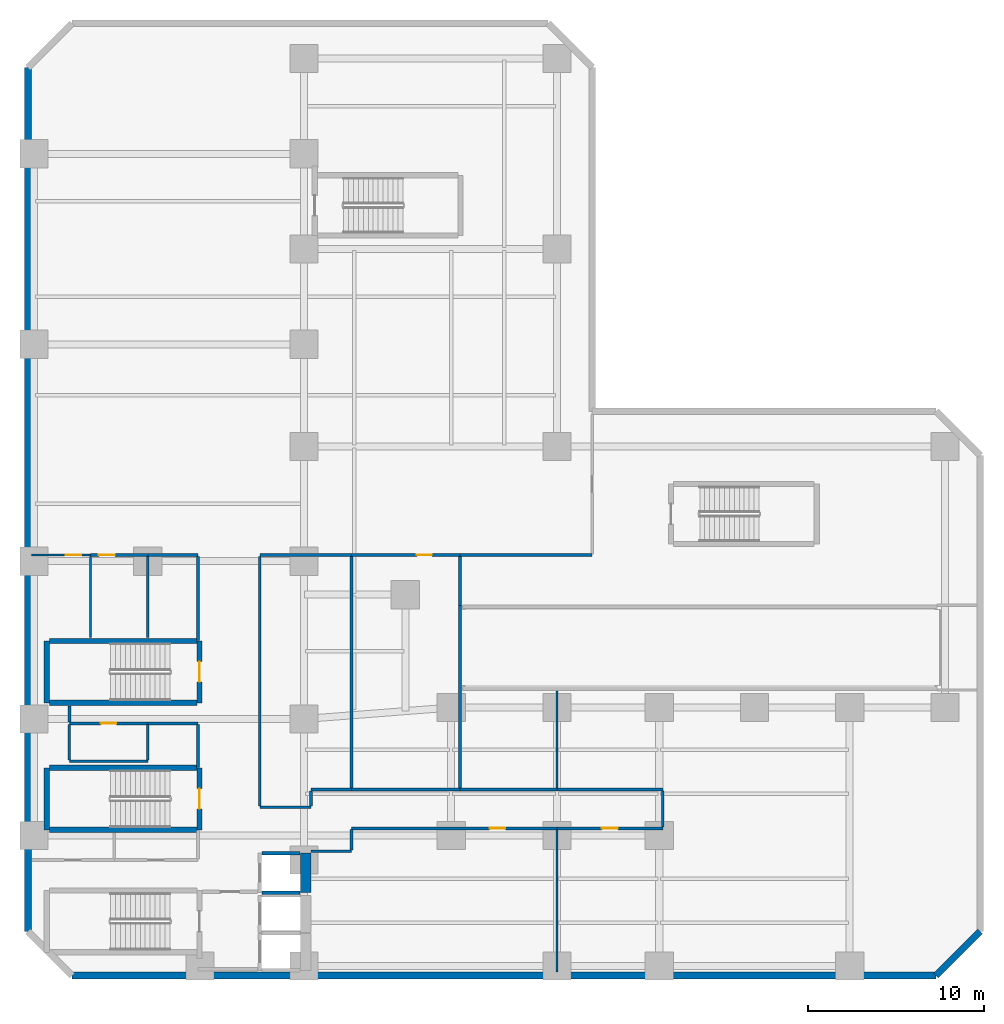
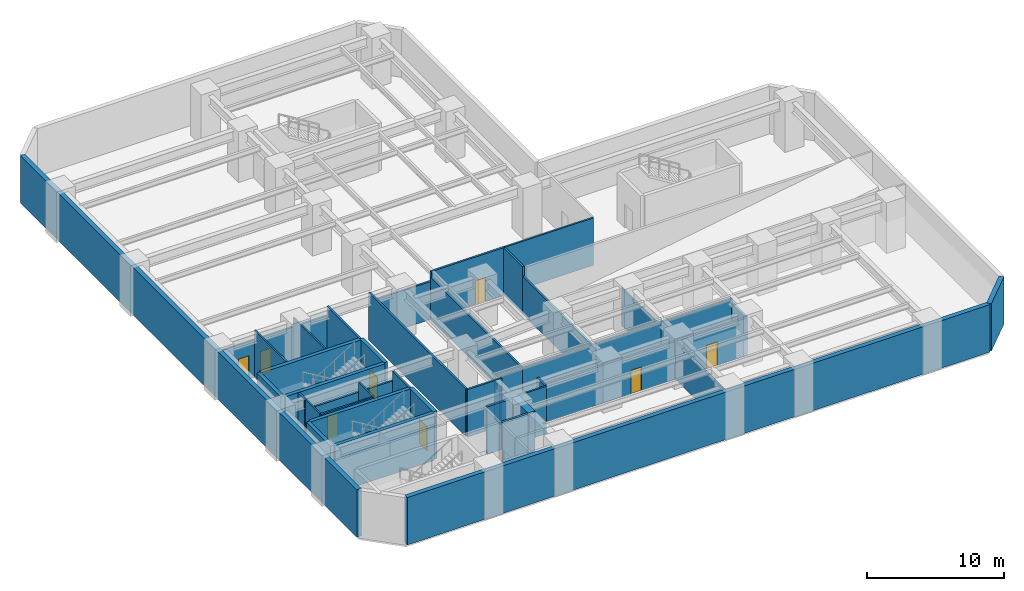
# One storey, part 3 of 7: 47 walls, 8 doors, 8 openings.
"""IFC4 building model written with IfcOpenShell, lengths in metres."""

from ifc_helpers import new_model, si_unit, direction, frame, frame_2d, origin, place, context, subcontext, project, spatial, rectangle, extrude, material, layer, layer_set, type_object, element, fill, save


model = new_model("IFC4")

# Units and contexts
model_context = context("Model", 3, precision=1e-05, world=origin(), true_north=direction((0.0, 1.0)))
body_context = subcontext(model_context, "Body", "Model", "MODEL_VIEW")
ifc_project = project(units=[si_unit("LENGTHUNIT", "METRE"), si_unit("AREAUNIT", "SQUARE_METRE"), si_unit("VOLUMEUNIT", "CUBIC_METRE"), si_unit("PLANEANGLEUNIT", "RADIAN"), si_unit("MASSUNIT", "GRAM", prefix="KILO")], contexts=[model_context])

# Site, building, storey
site_placement = place(None, origin())
site = spatial("IfcSite", under=ifc_project, at=site_placement, CompositionType="ELEMENT")
building_placement = place(site_placement, origin())
building = spatial("IfcBuilding", under=site, at=building_placement, Name="Mawjaban Terraces University", CompositionType="ELEMENT")
storey_placement = place(building_placement, frame((0.0, 0.0, -4.5)))
storey = spatial("IfcBuildingStorey", under=building, at=storey_placement, Name="B1", CompositionType="ELEMENT", Elevation=-4.5)

# Walls
ifc_material_1 = material(Name="Concrete C50/60", Category="concrete")
ifc_layer_1 = layer(ifc_material_1, 0.3798828125)
ifc_layer_set_1 = layer_set([ifc_layer_1], Name="Concrete C50/60")
wall_type_1 = type_object("IfcWallType", Name="BsmtRetainingWall_380", PredefinedType="USERDEFINED", material=ifc_layer_set_1)
wall_1_placement = place(storey_placement, frame((24.5, 0.0, 0.0), z_axis=(0.0, 0.0, 1.0), x_axis=(1.0, 0.0, 0.0)))
element("IfcWall", 1, at=wall_1_placement, inside=storey, type_object=wall_type_1, Name="B1 Perimeter Retaining Wall 1", ObjectType="RETAININGWALL", PredefinedType="USERDEFINED", context=body_context, shape_type="SweptSolid", body=[
    extrude(rectangle(XDim=49.0, YDim=0.3798828125, at=frame_2d((24.5, 0.0))), origin(), (0.0, 0.0, 1.0), 4.219970703125),
])
wall_2_placement = place(storey_placement, frame((73.5, 0.0, 0.0), z_axis=(0.0, 0.0, 1.0), x_axis=(0.707106781187, 0.707106781187, 0.0)))
element("IfcWall", 2, at=wall_2_placement, inside=storey, type_object=wall_type_1, Name="B1 Perimeter Retaining Wall 2", ObjectType="RETAININGWALL", PredefinedType="USERDEFINED", context=body_context, shape_type="SweptSolid", body=[
    extrude(rectangle(XDim=3.53564453125, YDim=0.3798828125, at=frame_2d((1.767822265625, 0.0))), origin(), (0.0, 0.0, 1.0), 4.219970703125),
])
wall_3_placement = place(storey_placement, frame((22.0, 51.5, 0.0), z_axis=(0.0, 0.0, 1.0), x_axis=(0.0, -1.0, 0.0)))
element("IfcWall", 3, at=wall_3_placement, inside=storey, type_object=wall_type_1, Name="B1 Perimeter Retaining Wall 10", ObjectType="RETAININGWALL", PredefinedType="USERDEFINED", context=body_context, shape_type="SweptSolid", body=[
    extrude(rectangle(XDim=49.0, YDim=0.3798828125, at=frame_2d((24.5, 0.0))), origin(), (0.0, 0.0, 1.0), 4.219970703125),
])
ifc_material_2 = material(Name="Concrete C70/85", Category="concrete")
ifc_layer_2 = layer(ifc_material_2, 0.60009765625)
ifc_layer_set_2 = layer_set([ifc_layer_2], Name="Concrete C70/85")
wall_type_2 = type_object("IfcWallType", Name="CoreShearWall_600", PredefinedType="SHEAR", material=ifc_layer_set_2)
wall_4_placement = place(storey_placement, frame((37.75, 4.699951171875, 0.0), z_axis=(0.0, 0.0, 1.0), x_axis=(0.0, 1.0, 0.0)))
element("IfcWall", 4, at=wall_4_placement, inside=storey, type_object=wall_type_2, Name="B1 Lift SL-1 Hoistway Wall East", PredefinedType="SHEAR", context=body_context, shape_type="SweptSolid", body=[
    extrude(rectangle(XDim=2.25, YDim=0.60009765625, at=frame_2d((1.125, 0.0))), origin(), (0.0, 0.0, 1.0), 4.219970703125),
])

# Wall, opening, door
ifc_material_3 = material(Name="Fire-rated gypsum board on steel stud", Category="steel")
ifc_layer_3 = layer(ifc_material_3, 0.159912109375)
ifc_layer_set_3 = layer_set([ifc_layer_3], Name="Fire-rated gypsum board on steel stud")
wall_type_3 = type_object("IfcWallType", Name="CorridorPartition_160", PredefinedType="PARTITIONING", material=ifc_layer_set_3)
wall_5_placement = place(storey_placement, frame((24.35009765625, 14.300048828125, 0.0), z_axis=(0.0, 0.0, 1.0), x_axis=(1.0, 0.0, 0.0)))
wall_5 = element("IfcWall", 5, at=wall_5_placement, inside=storey, type_object=wall_type_3, Name="B1 Core Riser Access Passage Partition 2", PredefinedType="PARTITIONING", context=body_context, shape_type="SweptSolid", body=[
    extrude(rectangle(XDim=4.449951171875, YDim=0.159912109375, at=frame_2d((2.22509765625, 0.0))), origin(), (0.0, 0.0, 1.0), 3.364990234375),
])
opening_1_placement = place(wall_5_placement, frame((1.784912109375, 0.0, 0.0)))
opening_1 = element("IfcOpeningElement", 6, at=opening_1_placement, cuts=wall_5, Name="Opening ID-088", PredefinedType="OPENING", context=body_context, shape_type="SweptSolid", body=[
    extrude(rectangle(XDim=0.8798828125, YDim=2.10009765625, at=frame_2d((0.43994140625, 1.050048828125))), frame((0.0, 0.08984375, 0.0), z_axis=(0.0, -1.0, 0.0), x_axis=(1.0, 0.0, 0.0)), (0.0, 0.0, 1.0), 0.179931640625),
])
ifc_material_4 = material(Name="Powder-coated steel frame and solid acoustic timber leaf", Category="steel")
door_type_1 = type_object("IfcDoorType", Name="ToiletDoor_880x2100", OperationType="NOTDEFINED", PredefinedType="DOOR", material=ifc_material_4)
door_1_placement = place(opening_1_placement, origin())
door_1 = element("IfcDoor", 7, at=door_1_placement, inside=storey, type_object=door_type_1, Name="B1 Ablution Room Door", OperationType="SINGLE_SWING_RIGHT", OverallHeight=2.10009765625, OverallWidth=0.8798828125, PredefinedType="DOOR", context=body_context, shape_type="SweptSolid", body=[
    extrude(rectangle(XDim=0.8798828125, YDim=2.10009765625, at=frame_2d((0.43994140625, 1.050048828125))), frame((0.0, 0.02490234375, 0.0), z_axis=(0.0, -1.0, 0.0), x_axis=(1.0, 0.0, 0.0)), (0.0, 0.0, 1.0), 0.050048828125),
])
fill(opening_1, door_1)

# Wall
wall_6_placement = place(storey_placement, frame((28.800048828125, 14.300048828125, 0.0), z_axis=(0.0, 0.0, 1.0), x_axis=(1.0, 0.0, 0.0)))
element("IfcWall", 8, at=wall_6_placement, inside=storey, type_object=wall_type_3, Name="B1 Core Riser Access Passage Partition 5", PredefinedType="PARTITIONING", context=body_context, shape_type="SweptSolid", body=[
    extrude(rectangle(XDim=2.849853515625, YDim=0.159912109375, at=frame_2d((1.4248046875, 0.0))), origin(), (0.0, 0.0, 1.0), 3.364990234375),
])

# Wall, opening, door
wall_7_placement = place(storey_placement, frame((28.800048828125, 23.85009765625, 0.0), z_axis=(0.0, 0.0, 1.0), x_axis=(-1.0, 0.0, 0.0)))
wall_7 = element("IfcWall", 9, at=wall_7_placement, inside=storey, type_object=wall_type_3, Name="B1 Staff Tea Pantry Partition 6", PredefinedType="PARTITIONING", context=body_context, shape_type="SweptSolid", body=[
    extrude(rectangle(XDim=3.25, YDim=0.159912109375, at=frame_2d((1.625, 0.0))), origin(), (0.0, 0.0, 1.0), 3.364990234375),
])
opening_2_placement = place(wall_7_placement, frame((1.875, 0.0, 0.0)))
opening_2 = element("IfcOpeningElement", 10, at=opening_2_placement, cuts=wall_7, Name="Opening ID-090", PredefinedType="OPENING", context=body_context, shape_type="SweptSolid", body=[
    extrude(rectangle(XDim=0.89990234375, YDim=2.10009765625, at=frame_2d((0.449951171875, 1.050048828125))), frame((0.0, 0.08984375, 0.0), z_axis=(0.0, -1.0, 0.0), x_axis=(1.0, 0.0, 0.0)), (0.0, 0.0, 1.0), 0.179931640625),
])
door_type_2 = type_object("IfcDoorType", Name="OfficeDoor_900x2100", OperationType="NOTDEFINED", PredefinedType="DOOR", material=ifc_material_4)
door_2_placement = place(opening_2_placement, origin())
door_2 = element("IfcDoor", 11, at=door_2_placement, inside=storey, type_object=door_type_2, Name="B1 Staff Tea Pantry Door", OperationType="SINGLE_SWING_RIGHT", OverallHeight=2.10009765625, OverallWidth=0.89990234375, PredefinedType="DOOR", context=body_context, shape_type="SweptSolid", body=[
    extrude(rectangle(XDim=0.89990234375, YDim=2.10009765625, at=frame_2d((0.449951171875, 1.050048828125))), frame((0.0, 0.02490234375, 0.0), z_axis=(0.0, -1.0, 0.0), x_axis=(1.0, 0.0, 0.0)), (0.0, 0.0, 1.0), 0.050048828125),
])
fill(opening_2, door_2)

# Walls
wall_8_placement = place(storey_placement, frame((28.800048828125, 23.85009765625, 0.0), z_axis=(0.0, 0.0, 1.0), x_axis=(1.0, 0.0, 0.0)))
element("IfcWall", 12, at=wall_8_placement, inside=storey, type_object=wall_type_3, Name="B1 Enclosed Staff and Accessible Car Park Partition 7", PredefinedType="PARTITIONING", context=body_context, shape_type="SweptSolid", body=[
    extrude(rectangle(XDim=2.849853515625, YDim=0.159912109375, at=frame_2d((1.4248046875, 0.0))), origin(), (0.0, 0.0, 1.0), 3.364990234375),
])
wall_9_placement = place(storey_placement, frame((35.14990234375, 23.85009765625, 0.0), z_axis=(0.0, 0.0, 1.0), x_axis=(1.0, 0.0, 0.0)))
element("IfcWall", 13, at=wall_9_placement, inside=storey, type_object=wall_type_3, Name="B1 Enclosed Staff and Accessible Car Park Partition 11", PredefinedType="PARTITIONING", context=body_context, shape_type="SweptSolid", body=[
    extrude(rectangle(XDim=5.2001953125, YDim=0.159912109375, at=frame_2d((2.60009765625, 0.0))), origin(), (0.0, 0.0, 1.0), 3.364990234375),
])
wall_10_placement = place(storey_placement, frame((38.050048828125, 7.050048828125, 0.0), z_axis=(0.0, 0.0, 1.0), x_axis=(1.0, 0.0, 0.0)))
element("IfcWall", 14, at=wall_10_placement, inside=storey, type_object=wall_type_3, Name="B1 Basement Core Service Vestibule Partition 12", PredefinedType="PARTITIONING", context=body_context, shape_type="SweptSolid", body=[
    extrude(rectangle(XDim=2.300048828125, YDim=0.159912109375, at=frame_2d((1.14990234375, 0.0))), origin(), (0.0, 0.0, 1.0), 4.219970703125),
])
wall_11_placement = place(storey_placement, frame((38.050048828125, 9.550048828125, 0.0), z_axis=(0.0, 0.0, 1.0), x_axis=(-1.0, 0.0, 0.0)))
element("IfcWall", 15, at=wall_11_placement, inside=storey, type_object=wall_type_3, Name="B1 Core Stair and Lift Lobby East Partition 13", PredefinedType="PARTITIONING", context=body_context, shape_type="SweptSolid", body=[
    extrude(rectangle(XDim=2.900146484375, YDim=0.159912109375, at=frame_2d((1.4501953125, 0.0))), origin(), (0.0, 0.0, 1.0), 4.219970703125),
])

# Wall, opening, door
wall_12_placement = place(storey_placement, frame((40.35009765625, 8.35009765625, 0.0), z_axis=(0.0, 0.0, 1.0), x_axis=(1.0, 0.0, 0.0)))
wall_12 = element("IfcWall", 16, at=wall_12_placement, inside=storey, type_object=wall_type_3, Name="B1 Basement Service Corridor Partition 14", PredefinedType="PARTITIONING", context=body_context, shape_type="SweptSolid", body=[
    extrude(rectangle(XDim=11.64990234375, YDim=0.159912109375, at=frame_2d((5.824951171875, 0.0))), origin(), (0.0, 0.0, 1.0), 3.364990234375),
])
opening_3_placement = place(wall_12_placement, frame((7.824951171875, 0.0, 0.0)))
opening_3 = element("IfcOpeningElement", 17, at=opening_3_placement, cuts=wall_12, Name="Opening ID-090", PredefinedType="OPENING", context=body_context, shape_type="SweptSolid", body=[
    extrude(rectangle(XDim=0.89990234375, YDim=2.10009765625, at=frame_2d((0.449951171875, 1.050048828125))), frame((0.0, 0.08984375, 0.0), z_axis=(0.0, -1.0, 0.0), x_axis=(1.0, 0.0, 0.0)), (0.0, 0.0, 1.0), 0.179931640625),
])
door_3_placement = place(opening_3_placement, origin())
door_3 = element("IfcDoor", 18, at=door_3_placement, inside=storey, type_object=door_type_2, Name="B1 Student and Staff Cycle Store Door", OperationType="SINGLE_SWING_LEFT", OverallHeight=2.10009765625, OverallWidth=0.89990234375, PredefinedType="DOOR", context=body_context, shape_type="SweptSolid", body=[
    extrude(rectangle(XDim=0.89990234375, YDim=2.10009765625, at=frame_2d((0.449951171875, 1.050048828125))), frame((0.0, 0.02490234375, 0.0), z_axis=(0.0, -1.0, 0.0), x_axis=(1.0, 0.0, 0.0)), (0.0, 0.0, 1.0), 0.050048828125),
])
fill(opening_3, door_3)

# Wall
wall_13_placement = place(storey_placement, frame((40.35009765625, 10.550048828125, 0.0), z_axis=(0.0, 0.0, 1.0), x_axis=(-1.0, 0.0, 0.0)))
element("IfcWall", 19, at=wall_13_placement, inside=storey, type_object=wall_type_3, Name="B1 Basement Core Service Vestibule Partition 15", PredefinedType="PARTITIONING", context=body_context, shape_type="SweptSolid", body=[
    extrude(rectangle(XDim=2.300048828125, YDim=0.159912109375, at=frame_2d((1.14990234375, 0.0))), origin(), (0.0, 0.0, 1.0), 3.7509765625),
])

# Wall, opening, door
wall_14_placement = place(storey_placement, frame((40.35009765625, 23.85009765625, 0.0), z_axis=(0.0, 0.0, 1.0), x_axis=(1.0, 0.0, 0.0)))
wall_14 = element("IfcWall", 20, at=wall_14_placement, inside=storey, type_object=wall_type_3, Name="B1 Enclosed Staff and Accessible Car Park Partition 16", PredefinedType="PARTITIONING", context=body_context, shape_type="SweptSolid", body=[
    extrude(rectangle(XDim=6.14990234375, YDim=0.159912109375, at=frame_2d((3.074951171875, 0.0))), origin(), (0.0, 0.0, 1.0), 4.219970703125),
])
opening_4_placement = place(wall_14_placement, frame((3.699951171875, 0.0, 0.0)))
opening_4 = element("IfcOpeningElement", 21, at=opening_4_placement, cuts=wall_14, Name="Opening FD-085", PredefinedType="OPENING", context=body_context, shape_type="SweptSolid", body=[
    extrude(rectangle(XDim=0.85009765625, YDim=2.10009765625, at=frame_2d((0.425048828125, 1.050048828125))), frame((0.0, 0.08984375, 0.0), z_axis=(0.0, -1.0, 0.0), x_axis=(1.0, 0.0, 0.0)), (0.0, 0.0, 1.0), 0.179931640625),
])
ifc_material_5 = material(Name="Powder-coated steel frame and fire-rated steel-faced leaf", Category="steel")
door_type_3 = type_object("IfcDoorType", Name="FireRiserDoor_850x2100", OperationType="NOTDEFINED", PredefinedType="DOOR", material=ifc_material_5)
door_4_placement = place(opening_4_placement, origin())
door_4 = element("IfcDoor", 22, at=door_4_placement, inside=storey, type_object=door_type_3, Name="B1 Basement Smoke Extract Fan Room Door", OperationType="SINGLE_SWING_LEFT", OverallHeight=2.10009765625, OverallWidth=0.85009765625, PredefinedType="DOOR", context=body_context, shape_type="SweptSolid", body=[
    extrude(rectangle(XDim=0.85009765625, YDim=2.10009765625, at=frame_2d((0.425048828125, 1.050048828125))), frame((0.0, 0.02490234375, 0.0), z_axis=(0.0, -1.0, 0.0), x_axis=(1.0, 0.0, 0.0)), (0.0, 0.0, 1.0), 0.050048828125),
])
fill(opening_4, door_4)

# Wall
wall_15_placement = place(storey_placement, frame((46.5, 10.550048828125, 0.0), z_axis=(0.0, 0.0, 1.0), x_axis=(-1.0, 0.0, 0.0)))
element("IfcWall", 23, at=wall_15_placement, inside=storey, type_object=wall_type_3, Name="B1 Basement Service Corridor Partition 17", PredefinedType="PARTITIONING", context=body_context, shape_type="SweptSolid", body=[
    extrude(rectangle(XDim=6.14990234375, YDim=0.159912109375, at=frame_2d((3.074951171875, 0.0))), origin(), (0.0, 0.0, 1.0), 3.7509765625),
])

# Wall, opening, door
wall_16_placement = place(storey_placement, frame((52.0, 8.35009765625, 0.0), z_axis=(0.0, 0.0, 1.0), x_axis=(1.0, 0.0, 0.0)))
wall_16 = element("IfcWall", 24, at=wall_16_placement, inside=storey, type_object=wall_type_3, Name="B1 Basement Service Corridor Partition 19", PredefinedType="PARTITIONING", context=body_context, shape_type="SweptSolid", body=[
    extrude(rectangle(XDim=6.0, YDim=0.159912109375, at=frame_2d((3.0, 0.0))), origin(), (0.0, 0.0, 1.0), 3.364990234375),
])
opening_5_placement = place(wall_16_placement, frame((2.550048828125, 0.0, 0.0)))
opening_5 = element("IfcOpeningElement", 25, at=opening_5_placement, cuts=wall_16, Name="Opening ID-090", PredefinedType="OPENING", context=body_context, shape_type="SweptSolid", body=[
    extrude(rectangle(XDim=0.89990234375, YDim=2.10009765625, at=frame_2d((0.449951171875, 1.050048828125))), frame((0.0, 0.08984375, 0.0), z_axis=(0.0, -1.0, 0.0), x_axis=(1.0, 0.0, 0.0)), (0.0, 0.0, 1.0), 0.179931640625),
])
door_5_placement = place(opening_5_placement, origin())
door_5 = element("IfcDoor", 26, at=door_5_placement, inside=storey, type_object=door_type_2, Name="B1 Campus Delivery Loading Bay Door", OperationType="SINGLE_SWING_RIGHT", OverallHeight=2.10009765625, OverallWidth=0.89990234375, PredefinedType="DOOR", context=body_context, shape_type="SweptSolid", body=[
    extrude(rectangle(XDim=0.89990234375, YDim=2.10009765625, at=frame_2d((0.449951171875, 1.050048828125))), frame((0.0, 0.02490234375, 0.0), z_axis=(0.0, -1.0, 0.0), x_axis=(1.0, 0.0, 0.0)), (0.0, 0.0, 1.0), 0.050048828125),
])
fill(opening_5, door_5)

# Walls
wall_17_placement = place(storey_placement, frame((52.0, 10.550048828125, 0.0), z_axis=(0.0, 0.0, 1.0), x_axis=(-1.0, 0.0, 0.0)))
element("IfcWall", 27, at=wall_17_placement, inside=storey, type_object=wall_type_3, Name="B1 Basement Service Corridor Partition 20", PredefinedType="PARTITIONING", context=body_context, shape_type="SweptSolid", body=[
    extrude(rectangle(XDim=5.5, YDim=0.159912109375, at=frame_2d((2.75, 0.0))), origin(), (0.0, 0.0, 1.0), 3.7509765625),
])
wall_18_placement = place(storey_placement, frame((58.0, 10.550048828125, 0.0), z_axis=(0.0, 0.0, 1.0), x_axis=(-1.0, 0.0, 0.0)))
element("IfcWall", 28, at=wall_18_placement, inside=storey, type_object=wall_type_3, Name="B1 Basement Service Corridor Partition 21", PredefinedType="PARTITIONING", context=body_context, shape_type="SweptSolid", body=[
    extrude(rectangle(XDim=6.0, YDim=0.159912109375, at=frame_2d((3.0, 0.0))), origin(), (0.0, 0.0, 1.0), 3.7509765625),
])
wall_19_placement = place(storey_placement, frame((24.35009765625, 15.2900390625, 0.0), z_axis=(0.0, 0.0, 1.0), x_axis=(0.0, -1.0, 0.0)))
element("IfcWall", 29, at=wall_19_placement, inside=storey, type_object=wall_type_3, Name="B1 Core Riser Access Passage Partition 25", PredefinedType="PARTITIONING", context=body_context, shape_type="SweptSolid", body=[
    extrude(rectangle(XDim=0.9150390625, YDim=0.159912109375, at=frame_2d((0.45751953125, 0.0))), origin(), (0.0, 0.0, 1.0), 4.219970703125),
])
wall_20_placement = place(storey_placement, frame((31.64990234375, 14.22509765625, 0.0), z_axis=(0.0, 0.0, 1.0), x_axis=(0.0, -1.0, 0.0)))
element("IfcWall", 30, at=wall_20_placement, inside=storey, type_object=wall_type_3, Name="B1 Passenger Lift Lobby Partition 31", PredefinedType="PARTITIONING", context=body_context, shape_type="SweptSolid", body=[
    extrude(rectangle(XDim=2.4150390625, YDim=0.159912109375, at=frame_2d((1.20751953125, 0.0))), origin(), (0.0, 0.0, 1.0), 4.219970703125),
])
wall_21_placement = place(storey_placement, frame((31.64990234375, 23.77490234375, 0.0), z_axis=(0.0, 0.0, 1.0), x_axis=(0.0, -1.0, 0.0)))
element("IfcWall", 31, at=wall_21_placement, inside=storey, type_object=wall_type_3, Name="B1 Passenger Lift Lobby Partition 32", PredefinedType="PARTITIONING", context=body_context, shape_type="SweptSolid", body=[
    extrude(rectangle(XDim=4.764892578125, YDim=0.159912109375, at=frame_2d((2.38232421875, 0.0))), origin(), (0.0, 0.0, 1.0), 4.219970703125),
])
wall_22_placement = place(storey_placement, frame((35.14990234375, 9.625, 0.0), z_axis=(0.0, 0.0, 1.0), x_axis=(0.0, 1.0, 0.0)))
element("IfcWall", 32, at=wall_22_placement, inside=storey, type_object=wall_type_3, Name="B1 Passenger Lift Lobby Partition 33", PredefinedType="PARTITIONING", context=body_context, shape_type="SweptSolid", body=[
    extrude(rectangle(XDim=14.14990234375, YDim=0.159912109375, at=frame_2d((7.074951171875, 0.0))), origin(), (0.0, 0.0, 1.0), 4.219970703125),
])
wall_23_placement = place(storey_placement, frame((38.050048828125, 10.47509765625, 0.0), z_axis=(0.0, 0.0, 1.0), x_axis=(0.0, -1.0, 0.0)))
element("IfcWall", 33, at=wall_23_placement, inside=storey, type_object=wall_type_3, Name="B1 Basement Core Service Vestibule Partition 34", PredefinedType="PARTITIONING", context=body_context, shape_type="SweptSolid", body=[
    extrude(rectangle(XDim=0.85009765625, YDim=0.159912109375, at=frame_2d((0.425048828125, 0.0))), origin(), (0.0, 0.0, 1.0), 3.364990234375),
])
wall_24_placement = place(storey_placement, frame((40.35009765625, 7.125, 0.0), z_axis=(0.0, 0.0, 1.0), x_axis=(0.0, 1.0, 0.0)))
element("IfcWall", 34, at=wall_24_placement, inside=storey, type_object=wall_type_3, Name="B1 Basement Core Service Vestibule Partition 35", PredefinedType="PARTITIONING", context=body_context, shape_type="SweptSolid", body=[
    extrude(rectangle(XDim=1.14990234375, YDim=0.159912109375, at=frame_2d((0.574951171875, 0.0))), origin(), (0.0, 0.0, 1.0), 4.219970703125),
])
wall_25_placement = place(storey_placement, frame((40.35009765625, 23.77490234375, 0.0), z_axis=(0.0, 0.0, 1.0), x_axis=(0.0, -1.0, 0.0)))
element("IfcWall", 35, at=wall_25_placement, inside=storey, type_object=wall_type_3, Name="B1 Basement Smoke Extract Fan Room Partition 36", PredefinedType="PARTITIONING", context=body_context, shape_type="SweptSolid", body=[
    extrude(rectangle(XDim=13.14990234375, YDim=0.159912109375, at=frame_2d((6.574951171875, 0.0))), origin(), (0.0, 0.0, 1.0), 3.7509765625),
])
wall_26_placement = place(storey_placement, frame((46.5, 10.625, 0.0), z_axis=(0.0, 0.0, 1.0), x_axis=(0.0, 1.0, 0.0)))
element("IfcWall", 36, at=wall_26_placement, inside=storey, type_object=wall_type_3, Name="B1 Basement Smoke Extract Fan Room Partition 37", PredefinedType="PARTITIONING", context=body_context, shape_type="SweptSolid", body=[
    extrude(rectangle(XDim=10.375, YDim=0.159912109375, at=frame_2d((5.1875, 0.0))), origin(), (0.0, 0.0, 1.0), 3.364990234375),
])
wall_27_placement = place(storey_placement, frame((46.5, 21.0, 0.0), z_axis=(0.0, 0.0, 1.0), x_axis=(0.0, 1.0, 0.0)))
element("IfcWall", 37, at=wall_27_placement, inside=storey, type_object=wall_type_3, Name="B1 Basement Smoke Extract Fan Room Partition 38", PredefinedType="PARTITIONING", context=body_context, shape_type="SweptSolid", body=[
    extrude(rectangle(XDim=2.77490234375, YDim=0.159912109375, at=frame_2d((1.387451171875, 0.0))), origin(), (0.0, 0.0, 1.0), 4.219970703125),
])
wall_28_placement = place(storey_placement, frame((58.0, 8.425048828125, 0.0), z_axis=(0.0, 0.0, 1.0), x_axis=(0.0, 1.0, 0.0)))
element("IfcWall", 38, at=wall_28_placement, inside=storey, type_object=wall_type_3, Name="B1 Basement Service Corridor Partition 42", PredefinedType="PARTITIONING", context=body_context, shape_type="SweptSolid", body=[
    extrude(rectangle(XDim=2.050048828125, YDim=0.159912109375, at=frame_2d((1.02490234375, 0.0))), origin(), (0.0, 0.0, 1.0), 3.364990234375),
])
ifc_material_6 = material(Name="Concrete C40/50", Category="concrete")
ifc_layer_4 = layer(ifc_material_6, 0.199951171875)
ifc_layer_set_4 = layer_set([ifc_layer_4], Name="Concrete C40/50")
wall_type_4 = type_object("IfcWallType", Name="FireLobbyWall_200", PredefinedType="SOLIDWALL", material=ifc_layer_set_4)
for number, where, z_axis, x_axis, name in (
    (39, (35.280029296875, 4.699951171875, 0.0), (0.0, 0.0, 1.0), (1.0, 0.0, 0.0), "B1 Lift SL-1 Hoistway Wall South"),
    (40, (37.419921875, 6.949951171875, 0.0), (0.0, 0.0, 1.0), (-1.0, 0.0, 0.0), "B1 Lift SL-1 Hoistway Wall North"),
):
    element("IfcWall", number, at=place(storey_placement, frame(where, z_axis=z_axis, x_axis=x_axis)), inside=storey, type_object=wall_type_4, Name=name, PredefinedType="SOLIDWALL", context=body_context, shape_type="SweptSolid", body=[
        extrude(rectangle(XDim=2.139892578125, YDim=0.199951171875, at=frame_2d((1.06982421875, 0.0))), origin(), (0.0, 0.0, 1.0), 4.219970703125),
    ])
ifc_material_7 = material(Name="Moisture-resistant gypsum board on steel stud", Category="steel")
ifc_layer_5 = layer(ifc_material_7, 0.14501953125)
ifc_layer_set_5 = layer_set([ifc_layer_5], Name="Moisture-resistant gypsum board on steel stud")
wall_type_5 = type_object("IfcWallType", Name="LabPartition_145", PredefinedType="PARTITIONING", material=ifc_layer_set_5)
wall_29_placement = place(storey_placement, frame((46.5, 23.85009765625, 0.0), z_axis=(0.0, 0.0, 1.0), x_axis=(1.0, 0.0, 0.0)))
element("IfcWall", 41, at=wall_29_placement, inside=storey, type_object=wall_type_5, Name="B1 Enclosed Staff and Accessible Car Park Partition 18", PredefinedType="PARTITIONING", context=body_context, shape_type="SweptSolid", body=[
    extrude(rectangle(XDim=7.5, YDim=0.14501953125, at=frame_2d((3.75, 0.0))), origin(), (0.0, 0.0, 1.0), 4.219970703125),
])
ifc_material_8 = material(Name="Gypsum plasterboard on steel stud", Category="steel")
ifc_layer_6 = layer(ifc_material_8, 0.125)
ifc_layer_set_6 = layer_set([ifc_layer_6], Name="Gypsum plasterboard on steel stud")
wall_type_6 = type_object("IfcWallType", Name="OfficePartition_125", PredefinedType="PARTITIONING", material=ifc_layer_set_6)
wall_30_placement = place(storey_placement, frame((28.800048828125, 19.159912109375, 0.0), z_axis=(0.0, 0.0, 1.0), x_axis=(0.0, 1.0, 0.0)))
element("IfcWall", 42, at=wall_30_placement, inside=storey, type_object=wall_type_6, Name="B1 Staff Tea Pantry Partition 29", PredefinedType="PARTITIONING", context=body_context, shape_type="SweptSolid", body=[
    extrude(rectangle(XDim=4.614990234375, YDim=0.125, at=frame_2d((2.3076171875, 0.0))), origin(), (0.0, 0.0, 1.0), 4.219970703125),
])
wall_31_placement = place(storey_placement, frame((52.0, 0.18994140625, 0.0), z_axis=(0.0, 0.0, 1.0), x_axis=(0.0, 1.0, 0.0)))
element("IfcWall", 43, at=wall_31_placement, inside=storey, type_object=wall_type_6, Name="B1 Student and Staff Cycle Store Partition 39", PredefinedType="PARTITIONING", context=body_context, shape_type="SweptSolid", body=[
    extrude(rectangle(XDim=8.0849609375, YDim=0.125, at=frame_2d((4.04248046875, 0.0))), origin(), (0.0, 0.0, 1.0), 3.364990234375),
])
wall_32_placement = place(storey_placement, frame((52.0, 16.14990234375, 0.0), z_axis=(0.0, 0.0, 1.0), x_axis=(0.0, -1.0, 0.0)))
element("IfcWall", 44, at=wall_32_placement, inside=storey, type_object=wall_type_6, Name="B1 Campus Delivery Loading Bay Partition 40", PredefinedType="PARTITIONING", context=body_context, shape_type="SweptSolid", body=[
    extrude(rectangle(XDim=5.52490234375, YDim=0.125, at=frame_2d((2.762451171875, 0.0))), origin(), (0.0, 0.0, 1.0), 3.364990234375),
])
ifc_material_9 = material(Name="Concrete C60/75", Category="concrete")
ifc_layer_7 = layer(ifc_material_9, 0.300048828125)
ifc_layer_set_7 = layer_set([ifc_layer_7], Name="Concrete C60/75")
wall_type_7 = type_object("IfcWallType", Name="StairShaftWall_300", PredefinedType="SHEAR", material=ifc_layer_set_7)
wall_33_placement = place(storey_placement, frame((31.580078125, 18.97998046875, 0.0), z_axis=(0.0, 0.0, 1.0), x_axis=(-1.0, 0.0, 0.0)))
element("IfcWall", 45, at=wall_33_placement, inside=storey, type_object=wall_type_7, Name="B1 ST-2 Stair Shaft Wall 1", PredefinedType="SHEAR", context=body_context, shape_type="SweptSolid", body=[
    extrude(rectangle(XDim=8.360107421875, YDim=0.300048828125, at=frame_2d((4.18017578125, 0.0))), origin(), (0.0, 0.0, 1.0), 4.219970703125),
])
wall_34_placement = place(storey_placement, frame((23.070068359375, 18.97998046875, 0.0), z_axis=(0.0, 0.0, 1.0), x_axis=(0.0, -1.0, 0.0)))
element("IfcWall", 46, at=wall_34_placement, inside=storey, type_object=wall_type_7, Name="B1 ST-2 Stair Shaft Wall 2", PredefinedType="SHEAR", context=body_context, shape_type="SweptSolid", body=[
    extrude(rectangle(XDim=3.510009765625, YDim=0.300048828125, at=frame_2d((1.7548828125, 0.0))), origin(), (0.0, 0.0, 1.0), 4.219970703125),
])
wall_35_placement = place(storey_placement, frame((23.219970703125, 15.469970703125, 0.0), z_axis=(0.0, 0.0, 1.0), x_axis=(1.0, 0.0, 0.0)))
element("IfcWall", 47, at=wall_35_placement, inside=storey, type_object=wall_type_7, Name="B1 ST-2 Stair Shaft Wall 3", PredefinedType="SHEAR", context=body_context, shape_type="SweptSolid", body=[
    extrude(rectangle(XDim=8.360107421875, YDim=0.300048828125, at=frame_2d((4.18017578125, 0.0))), origin(), (0.0, 0.0, 1.0), 4.219970703125),
])

# Wall, opening, door
wall_36_placement = place(storey_placement, frame((31.72998046875, 15.469970703125, 0.0), z_axis=(0.0, 0.0, 1.0), x_axis=(0.0, 1.0, 0.0)))
wall_36 = element("IfcWall", 48, at=wall_36_placement, inside=storey, type_object=wall_type_7, Name="B1 ST-2 Stair Shaft Wall 4", PredefinedType="SHEAR", context=body_context, shape_type="SweptSolid", body=[
    extrude(rectangle(XDim=3.510009765625, YDim=0.300048828125, at=frame_2d((1.7548828125, 0.0))), origin(), (0.0, 0.0, 1.0), 4.219970703125),
])
opening_6_placement = place(wall_36_placement, frame((1.179931640625, 0.0, 0.0)))
opening_6 = element("IfcOpeningElement", 49, at=opening_6_placement, cuts=wall_36, Name="Opening FD-115", PredefinedType="OPENING", context=body_context, shape_type="SweptSolid", body=[
    extrude(rectangle(XDim=1.14990234375, YDim=2.14990234375, at=frame_2d((0.574951171875, 1.074951171875))), frame((0.0, 0.159912109375, 0.0), z_axis=(0.0, -1.0, 0.0), x_axis=(1.0, 0.0, 0.0)), (0.0, 0.0, 1.0), 0.320068359375),
])
door_type_4 = type_object("IfcDoorType", Name="FireStairDoor_1150x2150", OperationType="NOTDEFINED", PredefinedType="DOOR", material=ifc_material_5)
door_6_placement = place(opening_6_placement, origin())
door_6 = element("IfcDoor", 50, at=door_6_placement, inside=storey, type_object=door_type_4, Name="B1 ST-2 Pressurised Stair Fire Door", OperationType="SINGLE_SWING_LEFT", OverallHeight=2.14990234375, OverallWidth=1.14990234375, PredefinedType="DOOR", context=body_context, shape_type="SweptSolid", body=[
    extrude(rectangle(XDim=1.14990234375, YDim=2.14990234375, at=frame_2d((0.574951171875, 1.074951171875))), frame((0.0, 0.02490234375, 0.0), z_axis=(0.0, -1.0, 0.0), x_axis=(1.0, 0.0, 0.0)), (0.0, 0.0, 1.0), 0.050048828125),
])
fill(opening_6, door_6)

# Walls
wall_37_placement = place(storey_placement, frame((31.580078125, 11.780029296875, 0.0), z_axis=(0.0, 0.0, 1.0), x_axis=(-1.0, 0.0, 0.0)))
element("IfcWall", 51, at=wall_37_placement, inside=storey, type_object=wall_type_7, Name="B1 ST-3 Stair Shaft Wall 1", PredefinedType="SHEAR", context=body_context, shape_type="SweptSolid", body=[
    extrude(rectangle(XDim=8.360107421875, YDim=0.300048828125, at=frame_2d((4.18017578125, 0.0))), origin(), (0.0, 0.0, 1.0), 4.219970703125),
])
wall_38_placement = place(storey_placement, frame((23.070068359375, 11.780029296875, 0.0), z_axis=(0.0, 0.0, 1.0), x_axis=(0.0, -1.0, 0.0)))
element("IfcWall", 52, at=wall_38_placement, inside=storey, type_object=wall_type_7, Name="B1 ST-3 Stair Shaft Wall 2", PredefinedType="SHEAR", context=body_context, shape_type="SweptSolid", body=[
    extrude(rectangle(XDim=3.510009765625, YDim=0.300048828125, at=frame_2d((1.7548828125, 0.0))), origin(), (0.0, 0.0, 1.0), 4.219970703125),
])
wall_39_placement = place(storey_placement, frame((23.219970703125, 8.27001953125, 0.0), z_axis=(0.0, 0.0, 1.0), x_axis=(1.0, 0.0, 0.0)))
element("IfcWall", 53, at=wall_39_placement, inside=storey, type_object=wall_type_7, Name="B1 ST-3 Stair Shaft Wall 3", PredefinedType="SHEAR", context=body_context, shape_type="SweptSolid", body=[
    extrude(rectangle(XDim=8.360107421875, YDim=0.300048828125, at=frame_2d((4.18017578125, 0.0))), origin(), (0.0, 0.0, 1.0), 4.219970703125),
])

# Wall, opening, door
wall_40_placement = place(storey_placement, frame((31.72998046875, 8.27001953125, 0.0), z_axis=(0.0, 0.0, 1.0), x_axis=(0.0, 1.0, 0.0)))
wall_40 = element("IfcWall", 54, at=wall_40_placement, inside=storey, type_object=wall_type_7, Name="B1 ST-3 Stair Shaft Wall 4", PredefinedType="SHEAR", context=body_context, shape_type="SweptSolid", body=[
    extrude(rectangle(XDim=3.510009765625, YDim=0.300048828125, at=frame_2d((1.7548828125, 0.0))), origin(), (0.0, 0.0, 1.0), 4.219970703125),
])
opening_7_placement = place(wall_40_placement, frame((1.179931640625, 0.0, 0.0)))
opening_7 = element("IfcOpeningElement", 55, at=opening_7_placement, cuts=wall_40, Name="Opening FD-115", PredefinedType="OPENING", context=body_context, shape_type="SweptSolid", body=[
    extrude(rectangle(XDim=1.14990234375, YDim=2.14990234375, at=frame_2d((0.574951171875, 1.074951171875))), frame((0.0, 0.159912109375, 0.0), z_axis=(0.0, -1.0, 0.0), x_axis=(1.0, 0.0, 0.0)), (0.0, 0.0, 1.0), 0.320068359375),
])
door_7_placement = place(opening_7_placement, origin())
door_7 = element("IfcDoor", 56, at=door_7_placement, inside=storey, type_object=door_type_4, Name="B1 ST-3 Pressurised Stair Fire Door", OperationType="SINGLE_SWING_RIGHT", OverallHeight=2.14990234375, OverallWidth=1.14990234375, PredefinedType="DOOR", context=body_context, shape_type="SweptSolid", body=[
    extrude(rectangle(XDim=1.14990234375, YDim=2.14990234375, at=frame_2d((0.574951171875, 1.074951171875))), frame((0.0, 0.02490234375, 0.0), z_axis=(0.0, -1.0, 0.0), x_axis=(1.0, 0.0, 0.0)), (0.0, 0.0, 1.0), 0.050048828125),
])
fill(opening_7, door_7)

# Wall
ifc_material_10 = material(Name="Cement-board wet-room partition", Category="masonry")
ifc_layer_8 = layer(ifc_material_10, 0.135009765625)
ifc_layer_set_8 = layer_set([ifc_layer_8], Name="Cement-board wet-room partition")
wall_type_8 = type_object("IfcWallType", Name="WetRoomPartition_135", PredefinedType="PARTITIONING", material=ifc_layer_set_8)
wall_41_placement = place(storey_placement, frame((24.35009765625, 12.14990234375, 0.0), z_axis=(0.0, 0.0, 1.0), x_axis=(1.0, 0.0, 0.0)))
element("IfcWall", 57, at=wall_41_placement, inside=storey, type_object=wall_type_8, Name="B1 Ablution Room Partition 1", PredefinedType="PARTITIONING", context=body_context, shape_type="SweptSolid", body=[
    extrude(rectangle(XDim=4.449951171875, YDim=0.135009765625, at=frame_2d((2.22509765625, 0.0))), origin(), (0.0, 0.0, 1.0), 4.219970703125),
])

# Wall, opening, door
wall_42_placement = place(storey_placement, frame((25.550048828125, 23.85009765625, 0.0), z_axis=(0.0, 0.0, 1.0), x_axis=(-1.0, 0.0, 0.0)))
wall_42 = element("IfcWall", 58, at=wall_42_placement, inside=storey, type_object=wall_type_8, Name="B1 Female Toilet Partition 3", PredefinedType="PARTITIONING", context=body_context, shape_type="SweptSolid", body=[
    extrude(rectangle(XDim=3.35009765625, YDim=0.135009765625, at=frame_2d((1.675048828125, 0.0))), origin(), (0.0, 0.0, 1.0), 3.364990234375),
])
opening_8_placement = place(wall_42_placement, frame((0.534912109375, 0.0, 0.0)))
opening_8 = element("IfcOpeningElement", 59, at=opening_8_placement, cuts=wall_42, Name="Opening ID-088", PredefinedType="OPENING", context=body_context, shape_type="SweptSolid", body=[
    extrude(rectangle(XDim=0.8798828125, YDim=2.10009765625, at=frame_2d((0.43994140625, 1.050048828125))), frame((0.0, 0.077392578125, 0.0), z_axis=(0.0, -1.0, 0.0), x_axis=(1.0, 0.0, 0.0)), (0.0, 0.0, 1.0), 0.155029296875),
])
door_8_placement = place(opening_8_placement, origin())
door_8 = element("IfcDoor", 60, at=door_8_placement, inside=storey, type_object=door_type_1, Name="B1 Female Toilet Door", OperationType="SINGLE_SWING_LEFT", OverallHeight=2.10009765625, OverallWidth=0.8798828125, PredefinedType="DOOR", context=body_context, shape_type="SweptSolid", body=[
    extrude(rectangle(XDim=0.8798828125, YDim=2.10009765625, at=frame_2d((0.43994140625, 1.050048828125))), frame((0.0, 0.02490234375, 0.0), z_axis=(0.0, -1.0, 0.0), x_axis=(1.0, 0.0, 0.0)), (0.0, 0.0, 1.0), 0.050048828125),
])
fill(opening_8, door_8)

# Walls
wall_43_placement = place(storey_placement, frame((24.35009765625, 14.22509765625, 0.0), z_axis=(0.0, 0.0, 1.0), x_axis=(0.0, -1.0, 0.0)))
element("IfcWall", 61, at=wall_43_placement, inside=storey, type_object=wall_type_8, Name="B1 Ablution Room Partition 24", PredefinedType="PARTITIONING", context=body_context, shape_type="SweptSolid", body=[
    extrude(rectangle(XDim=2.01220703125, YDim=0.135009765625, at=frame_2d((1.006103515625, 0.0))), origin(), (0.0, 0.0, 1.0), 4.219970703125),
])
wall_44_placement = place(storey_placement, frame((25.550048828125, 19.159912109375, 0.0), z_axis=(0.0, 0.0, 1.0), x_axis=(0.0, 1.0, 0.0)))
element("IfcWall", 62, at=wall_44_placement, inside=storey, type_object=wall_type_8, Name="B1 Female Toilet Partition 26", PredefinedType="PARTITIONING", context=body_context, shape_type="SweptSolid", body=[
    extrude(rectangle(XDim=4.614990234375, YDim=0.135009765625, at=frame_2d((2.3076171875, 0.0))), origin(), (0.0, 0.0, 1.0), 4.219970703125),
])
wall_45_placement = place(storey_placement, frame((28.800048828125, 12.212890625, 0.0), z_axis=(0.0, 0.0, 1.0), x_axis=(0.0, 1.0, 0.0)))
element("IfcWall", 63, at=wall_45_placement, inside=storey, type_object=wall_type_8, Name="B1 Ablution Room Partition 28", PredefinedType="PARTITIONING", context=body_context, shape_type="SweptSolid", body=[
    extrude(rectangle(XDim=2.01220703125, YDim=0.135009765625, at=frame_2d((1.006103515625, 0.0))), origin(), (0.0, 0.0, 1.0), 4.219970703125),
])

save(model, "model.ifc")
